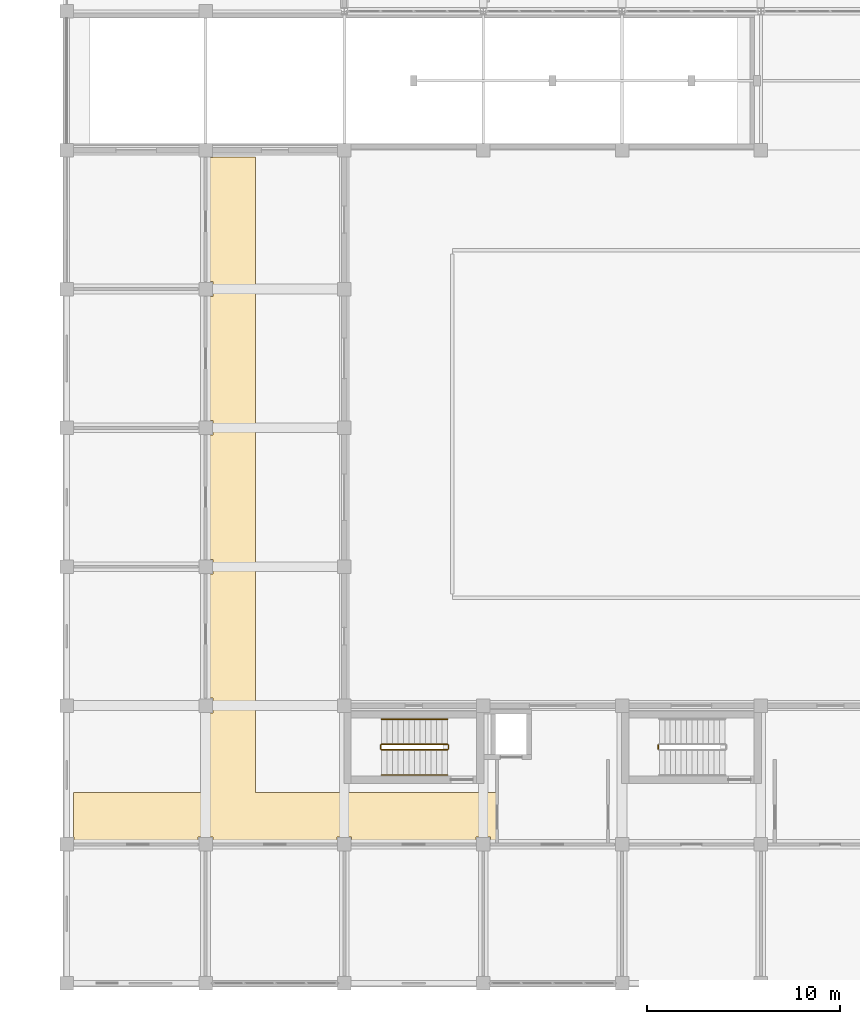
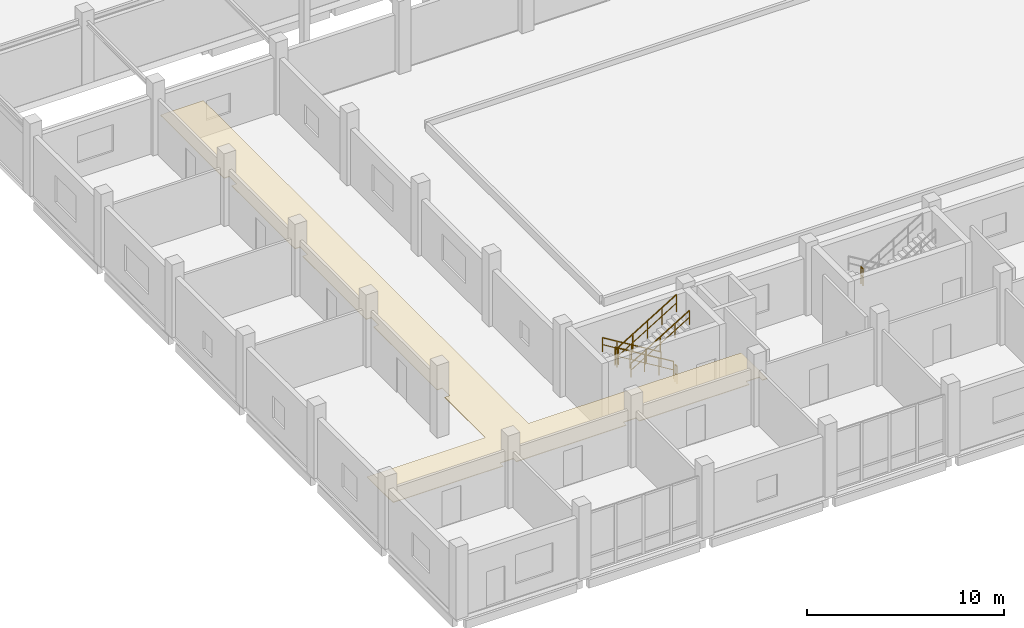
# One storey, part 129 of 139: 7 railings, 1 covering.
"""IFC4 building model written with IfcOpenShell, lengths in metres."""

from ifc_helpers import new_model, si_unit, direction, frame, origin, origin_2d, place, context, subcontext, project, spatial, polyline, rectangle, outline, extrude, material, layer, layer_set, type_object, element, save


model = new_model("IFC4")

# Units and contexts
model_context = context("Model", 3, precision=1e-05, world=origin(), true_north=direction((0.0, 1.0)))
body_context = subcontext(model_context, "Body", "Model", "MODEL_VIEW")
ifc_project = project(units=[si_unit("LENGTHUNIT", "METRE"), si_unit("AREAUNIT", "SQUARE_METRE"), si_unit("VOLUMEUNIT", "CUBIC_METRE"), si_unit("PLANEANGLEUNIT", "RADIAN"), si_unit("MASSUNIT", "GRAM", prefix="KILO")], contexts=[model_context])

# Site, building, storey
site_placement = place(None, origin())
site = spatial("IfcSite", under=ifc_project, at=site_placement, CompositionType="ELEMENT")
building_placement = place(site_placement, origin())
building = spatial("IfcBuilding", under=site, at=building_placement, Name="Suanplinth Sawtooth Commons", CompositionType="ELEMENT")
storey_placement = place(building_placement, origin())
storey = spatial("IfcBuildingStorey", under=building, at=storey_placement, Name="L00", CompositionType="ELEMENT", Elevation=0.0)

# Covering
ifc_material_1 = material(Name="Mineral fibre acoustic tile")
ifc_layer = layer(ifc_material_1, 0.0400390625, Name="Perforated mineral-fibre acoustic suspended ceiling")
ifc_layer_set = layer_set([ifc_layer], Name="Mineral fibre acoustic tile")
covering_type = type_object("IfcCoveringType", Name="CV-CE01", PredefinedType="CEILING", material=ifc_layer_set)
covering_placement = place(storey_placement, frame((0.0, 0.0, 2.3798828125)))
element("IfcCovering", 1, at=covering_placement, inside=storey, type_object=covering_type, Name="L00 Block D Corridor Acoustic Ceiling", PredefinedType="CEILING", context=body_context, shape_type="SweptSolid", body=[
    extrude(outline(polyline([(0.360107421875, 9.89990234375), (7.280029296875, 9.89990234375), (7.280029296875, 14.02001953125), (7.580078125, 14.02001953125), (7.580078125, 14.780029296875), (7.280029296875, 14.780029296875), (7.280029296875, 21.219970703125), (7.580078125, 21.219970703125), (7.580078125, 21.97998046875), (7.280029296875, 21.97998046875), (7.280029296875, 28.419921875), (7.580078125, 28.419921875), (7.580078125, 29.179931640625), (7.280029296875, 29.179931640625), (7.280029296875, 35.6201171875), (7.580078125, 35.6201171875), (7.580078125, 36.3798828125), (7.280029296875, 36.3798828125), (7.280029296875, 42.820068359375), (7.580078125, 42.820068359375), (7.580078125, 42.840087890625), (9.800048828125, 42.840087890625), (9.800048828125, 9.89990234375), (22.280029296875, 9.89990234375), (22.280029296875, 7.280029296875), (21.97998046875, 7.280029296875), (21.97998046875, 7.580078125), (21.219970703125, 7.580078125), (21.219970703125, 7.280029296875), (14.780029296875, 7.280029296875), (14.780029296875, 7.580078125), (14.02001953125, 7.580078125), (14.02001953125, 7.280029296875), (7.580078125, 7.280029296875), (7.580078125, 7.580078125), (6.820068359375, 7.580078125), (6.820068359375, 7.280029296875), (0.3798828125, 7.280029296875), (0.3798828125, 7.580078125), (0.360107421875, 7.580078125), (0.360107421875, 9.89990234375)])), origin(), (0.0, 0.0, 1.0), 0.0400390625),
])

# Railings
ifc_material_2 = material(Name="Stainless steel Grade 304", Category="steel")
railing_type_1 = type_object("IfcRailingType", Name="GR-04", PredefinedType="GUARDRAIL", material=ifc_material_2)
railing_1_placement = place(storey_placement, frame((19.75, 12.39990234375, 0.173095703125)))
element("IfcRailing", 2, at=railing_1_placement, inside=storey, type_object=railing_type_1, Name="L00 ST-W1 Guard 1", PredefinedType="GUARDRAIL", context=body_context, shape_type="SweptSolid", body=[
    extrude(rectangle(XDim=0.048095703125, YDim=0.048095703125, at=origin_2d()), frame((0.0, 0.0, 1.076171875), z_axis=(-0.854729506542, 0.0, 0.519073665916), x_axis=(0.0, -1.0, 0.0)), (0.0, 0.0, 1.0), 4.001220703125),
    extrude(rectangle(XDim=0.03369140625, YDim=0.03369140625, at=origin_2d()), frame((0.0, 0.0, 0.550048828125), z_axis=(-0.854729506542, 0.0, 0.519073665916), x_axis=(0.0, -1.0, 0.0)), (0.0, 0.0, 1.0), 4.001220703125),
    extrude(rectangle(XDim=0.0419921875, YDim=0.0419921875, at=origin_2d()), origin(), (0.0, 0.0, 1.0), 1.052001953125),
    extrude(rectangle(XDim=0.0419921875, YDim=0.0419921875, at=origin_2d()), frame((-0.85498046875, 0.0, 0.519287109375)), (0.0, 0.0, 1.0), 1.052001953125),
    extrude(rectangle(XDim=0.0419921875, YDim=0.0419921875, at=origin_2d()), frame((-1.7099609375, 0.0, 1.03857421875)), (0.0, 0.0, 1.0), 1.052001953125),
    extrude(rectangle(XDim=0.0419921875, YDim=0.0419921875, at=origin_2d()), frame((-2.56494140625, 0.0, 1.5576171875)), (0.0, 0.0, 1.0), 1.052001953125),
    extrude(rectangle(XDim=0.0419921875, YDim=0.0419921875, at=origin_2d()), frame((-3.419921875, 0.0, 2.076904296875)), (0.0, 0.0, 1.0), 1.052001953125),
])
railing_2_placement = place(storey_placement, frame((16.280029296875, 12.35009765625, 2.25)))
element("IfcRailing", 3, at=railing_2_placement, inside=storey, type_object=railing_type_1, Name="L00 ST-W1 Guard 2", PredefinedType="GUARDRAIL", context=body_context, shape_type="SweptSolid", body=[
    extrude(rectangle(XDim=0.048095703125, YDim=0.048095703125, at=origin_2d()), frame((0.0, 0.0, 1.076171875), z_axis=(0.0, -1.0, 0.0), x_axis=(1.0, 0.0, 0.0)), (0.0, 0.0, 1.0), 0.2001953125),
    extrude(rectangle(XDim=0.03369140625, YDim=0.03369140625, at=origin_2d()), frame((0.0, 0.0, 0.550048828125), z_axis=(0.0, -1.0, 0.0), x_axis=(1.0, 0.0, 0.0)), (0.0, 0.0, 1.0), 0.2001953125),
    extrude(rectangle(XDim=0.0419921875, YDim=0.0419921875, at=origin_2d()), origin(), (0.0, 0.0, 1.0), 1.052001953125),
    extrude(rectangle(XDim=0.0419921875, YDim=0.0419921875, at=origin_2d()), frame((0.0, -0.2001953125, 0.0)), (0.0, 0.0, 1.0), 1.052001953125),
])
railing_3_placement = place(storey_placement, frame((16.330078125, 12.10009765625, 2.423095703125)))
element("IfcRailing", 4, at=railing_3_placement, inside=storey, type_object=railing_type_1, Name="L00 ST-W1 Guard 3", PredefinedType="GUARDRAIL", context=body_context, shape_type="SweptSolid", body=[
    extrude(rectangle(XDim=0.048095703125, YDim=0.048095703125, at=origin_2d()), frame((0.0, 0.0, 1.076171875), z_axis=(0.854729506542, 0.0, 0.519073665916), x_axis=(0.0, 1.0, 0.0)), (0.0, 0.0, 1.0), 4.001220703125),
    extrude(rectangle(XDim=0.03369140625, YDim=0.03369140625, at=origin_2d()), frame((0.0, 0.0, 0.550048828125), z_axis=(0.854729506542, 0.0, 0.519073665916), x_axis=(0.0, 1.0, 0.0)), (0.0, 0.0, 1.0), 4.001220703125),
    extrude(rectangle(XDim=0.0419921875, YDim=0.0419921875, at=origin_2d()), origin(), (0.0, 0.0, 1.0), 1.052001953125),
    extrude(rectangle(XDim=0.0419921875, YDim=0.0419921875, at=origin_2d()), frame((0.85498046875, 0.0, 0.519287109375)), (0.0, 0.0, 1.0), 1.052001953125),
    extrude(rectangle(XDim=0.0419921875, YDim=0.0419921875, at=origin_2d()), frame((1.7099609375, 0.0, 1.03857421875)), (0.0, 0.0, 1.0), 1.052001953125),
    extrude(rectangle(XDim=0.0419921875, YDim=0.0419921875, at=origin_2d()), frame((2.56494140625, 0.0, 1.5576171875)), (0.0, 0.0, 1.0), 1.052001953125),
    extrude(rectangle(XDim=0.0419921875, YDim=0.0419921875, at=origin_2d()), frame((3.419921875, 0.0, 2.076904296875)), (0.0, 0.0, 1.0), 1.052001953125),
])
for number, where, name in (
    (5, (19.800048828125, 12.35009765625, 0.0), "L00 ST-W1 Guard 4"),
    (6, (30.679931640625, 12.35009765625, 2.25), "L00 ST-W2 Guard 2"),
):
    element("IfcRailing", number, at=place(storey_placement, frame(where)), inside=storey, type_object=railing_type_1, Name=name, PredefinedType="GUARDRAIL", context=body_context, shape_type="SweptSolid", body=[
        extrude(rectangle(XDim=0.048095703125, YDim=0.048095703125, at=origin_2d()), frame((0.0, 0.0, 1.076171875), z_axis=(0.0, -1.0, 0.0), x_axis=(1.0, 0.0, 0.0)), (0.0, 0.0, 1.0), 0.2001953125),
        extrude(rectangle(XDim=0.03369140625, YDim=0.03369140625, at=origin_2d()), frame((0.0, 0.0, 0.550048828125), z_axis=(0.0, -1.0, 0.0), x_axis=(1.0, 0.0, 0.0)), (0.0, 0.0, 1.0), 0.2001953125),
        extrude(rectangle(XDim=0.0419921875, YDim=0.0419921875, at=origin_2d()), origin(), (0.0, 0.0, 1.0), 1.052001953125),
        extrude(rectangle(XDim=0.0419921875, YDim=0.0419921875, at=origin_2d()), frame((0.0, -0.2001953125, 0.0)), (0.0, 0.0, 1.0), 1.052001953125),
    ])
railing_type_2 = type_object("IfcRailingType", Name="HR-01", PredefinedType="HANDRAIL", material=ifc_material_2)
railing_4_placement = place(storey_placement, frame((19.75, 13.699951171875, 0.173095703125)))
element("IfcRailing", 7, at=railing_4_placement, inside=storey, type_object=railing_type_2, Name="L00 ST-W1 Handrail 1", PredefinedType="HANDRAIL", context=body_context, shape_type="SweptSolid", body=[
    extrude(rectangle(XDim=0.048095703125, YDim=0.048095703125, at=origin_2d()), frame((0.0, 0.0, 0.8759765625), z_axis=(-0.854729506542, 0.0, 0.519073665916), x_axis=(0.0, -1.0, 0.0)), (0.0, 0.0, 1.0), 4.001220703125),
    extrude(rectangle(XDim=0.03369140625, YDim=0.03369140625, at=origin_2d()), frame((0.0, 0.0, 0.449951171875), z_axis=(-0.854729506542, 0.0, 0.519073665916), x_axis=(0.0, -1.0, 0.0)), (0.0, 0.0, 1.0), 4.001220703125),
    extrude(rectangle(XDim=0.0419921875, YDim=0.0419921875, at=origin_2d()), origin(), (0.0, 0.0, 1.0), 0.851806640625),
    extrude(rectangle(XDim=0.0419921875, YDim=0.0419921875, at=origin_2d()), frame((-0.85498046875, 0.0, 0.519287109375)), (0.0, 0.0, 1.0), 0.851806640625),
    extrude(rectangle(XDim=0.0419921875, YDim=0.0419921875, at=origin_2d()), frame((-1.7099609375, 0.0, 1.03857421875)), (0.0, 0.0, 1.0), 0.851806640625),
    extrude(rectangle(XDim=0.0419921875, YDim=0.0419921875, at=origin_2d()), frame((-2.56494140625, 0.0, 1.5576171875)), (0.0, 0.0, 1.0), 0.851806640625),
    extrude(rectangle(XDim=0.0419921875, YDim=0.0419921875, at=origin_2d()), frame((-3.419921875, 0.0, 2.076904296875)), (0.0, 0.0, 1.0), 0.851806640625),
])
railing_5_placement = place(storey_placement, frame((16.330078125, 10.800048828125, 2.423095703125)))
element("IfcRailing", 8, at=railing_5_placement, inside=storey, type_object=railing_type_2, Name="L00 ST-W1 Handrail 2", PredefinedType="HANDRAIL", context=body_context, shape_type="SweptSolid", body=[
    extrude(rectangle(XDim=0.048095703125, YDim=0.048095703125, at=origin_2d()), frame((0.0, 0.0, 0.8759765625), z_axis=(0.854729506542, 0.0, 0.519073665916), x_axis=(0.0, 1.0, 0.0)), (0.0, 0.0, 1.0), 4.001220703125),
    extrude(rectangle(XDim=0.03369140625, YDim=0.03369140625, at=origin_2d()), frame((0.0, 0.0, 0.449951171875), z_axis=(0.854729506542, 0.0, 0.519073665916), x_axis=(0.0, 1.0, 0.0)), (0.0, 0.0, 1.0), 4.001220703125),
    extrude(rectangle(XDim=0.0419921875, YDim=0.0419921875, at=origin_2d()), origin(), (0.0, 0.0, 1.0), 0.851806640625),
    extrude(rectangle(XDim=0.0419921875, YDim=0.0419921875, at=origin_2d()), frame((0.85498046875, 0.0, 0.519287109375)), (0.0, 0.0, 1.0), 0.851806640625),
    extrude(rectangle(XDim=0.0419921875, YDim=0.0419921875, at=origin_2d()), frame((1.7099609375, 0.0, 1.03857421875)), (0.0, 0.0, 1.0), 0.851806640625),
    extrude(rectangle(XDim=0.0419921875, YDim=0.0419921875, at=origin_2d()), frame((2.56494140625, 0.0, 1.5576171875)), (0.0, 0.0, 1.0), 0.851806640625),
    extrude(rectangle(XDim=0.0419921875, YDim=0.0419921875, at=origin_2d()), frame((3.419921875, 0.0, 2.076904296875)), (0.0, 0.0, 1.0), 0.851806640625),
])

save(model, "model.ifc")
